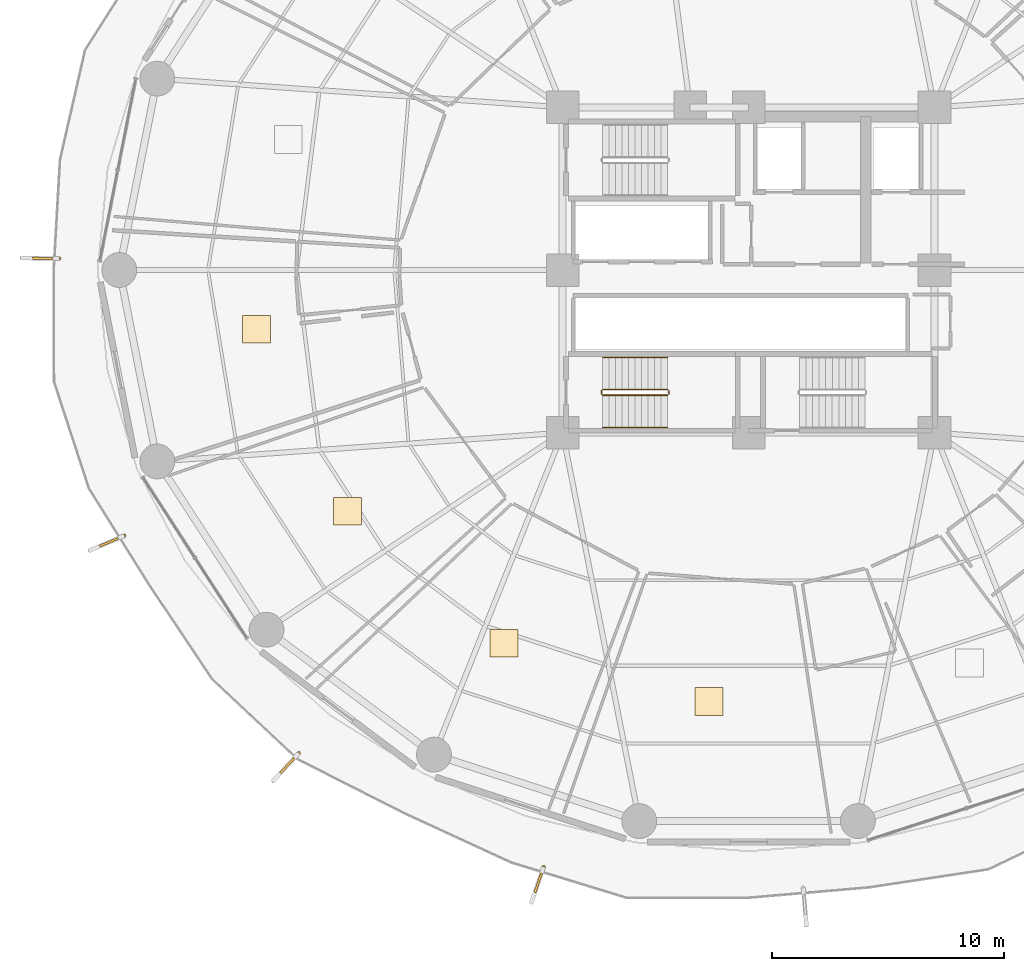
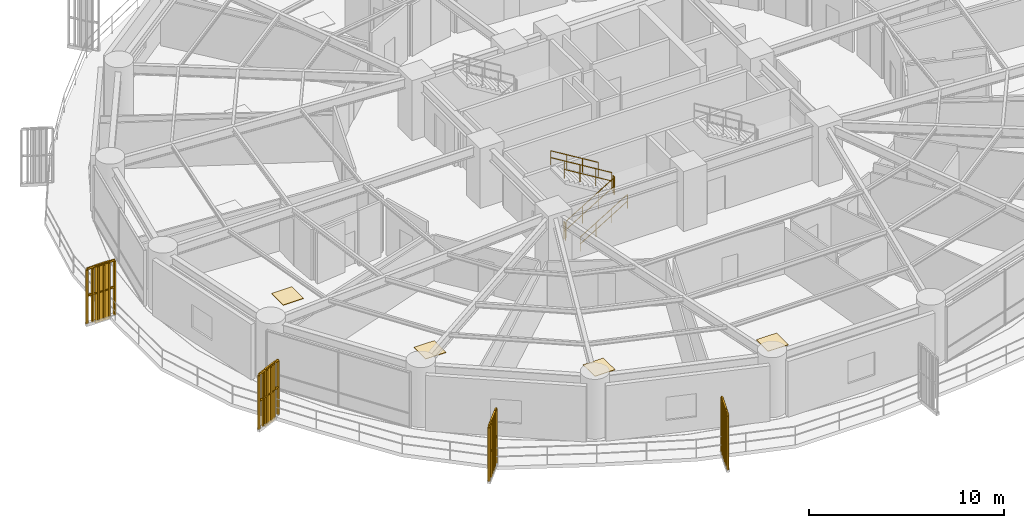
# One storey, part 27 of 31: 10 railings, 4 coverings, 4 shading devices.
"""IFC4 building model written with IfcOpenShell, lengths in metres."""

from ifc_helpers import new_model, si_unit, direction, frame, origin, origin_2d, place, context, subcontext, project, spatial, polyline, rectangle, outline, extrude, source, transform, mapped, material, layer, layer_set, type_object, element, save


model = new_model("IFC4")

# Units and contexts
model_context = context("Model", 3, precision=1e-05, world=origin(), true_north=direction((0.0, 1.0)))
body_context = subcontext(model_context, "Body", "Model", "MODEL_VIEW")
ifc_project = project(units=[si_unit("LENGTHUNIT", "METRE"), si_unit("AREAUNIT", "SQUARE_METRE"), si_unit("VOLUMEUNIT", "CUBIC_METRE"), si_unit("PLANEANGLEUNIT", "RADIAN"), si_unit("MASSUNIT", "GRAM", prefix="KILO")], contexts=[model_context])

# Site, building, storey
site_placement = place(None, origin())
site = spatial("IfcSite", under=ifc_project, at=site_placement, CompositionType="ELEMENT")
building_placement = place(site_placement, origin())
building = spatial("IfcBuilding", under=site, at=building_placement, Name="Kelanora Arch Commons", CompositionType="ELEMENT")
storey_placement = place(building_placement, frame((0.0, 0.0, 63.75)))
storey = spatial("IfcBuildingStorey", under=building, at=storey_placement, Name="L16", CompositionType="ELEMENT", Elevation=63.75)

# Railings
ifc_material_1 = material(Name="Anodised bronze vertical shading fin rib assembly")
railing_type_1 = type_object("IfcRailingType", Name="RAIL-FIN-BRZ", PredefinedType="BALUSTRADE", material=ifc_material_1)
railing_1_placement = place(storey_placement, frame((44.34326171875, 58.49072265625, -0.02001953125)))
element("IfcRailing", 1, at=railing_1_placement, inside=storey, type_object=railing_type_1, Name="Sweeping Bronze Vertical Fin Blade L16-06", PredefinedType="BALUSTRADE", context=body_context, shape_type="SweptSolid", body=[
    extrude(outline(polyline([(0.06982421875, 0.0), (0.034912109375, 0.060546875), (-0.034912109375, 0.060546875), (-0.06982421875, 0.0), (-0.034912109375, -0.060546875), (0.034912109375, -0.060546875), (0.06982421875, 0.0)])), frame((0.0, 0.0, 3.419921875), z_axis=(-0.999862144241, 0.016603990922, 0.0), x_axis=(-0.016603990922, -0.999862144241, 0.0)), (0.0, 0.0, 1.0), 1.617431640625),
    extrude(outline(polyline([(0.06982421875, 0.0), (0.034912109375, 0.060546875), (-0.034912109375, 0.060546875), (-0.06982421875, 0.0), (-0.034912109375, -0.060546875), (0.034912109375, -0.060546875), (0.06982421875, 0.0)])), frame((0.0, 0.0, 1.7451171875), z_axis=(-0.999862144241, 0.016603990922, 0.0), x_axis=(-0.016603990922, -0.999862144241, 0.0)), (0.0, 0.0, 1.0), 1.617431640625),
    extrude(outline(polyline([(0.080078125, 0.0), (0.0400390625, 0.0693359375), (-0.0400390625, 0.0693359375), (-0.080078125, 0.0), (-0.0400390625, -0.0693359375), (0.0400390625, -0.0693359375), (0.080078125, 0.0)])), origin(), (0.0, 0.0, 1.0), 3.35009765625),
    extrude(outline(polyline([(0.080078125, 0.0), (0.0400390625, 0.0693359375), (-0.0400390625, 0.0693359375), (-0.080078125, 0.0), (-0.0400390625, -0.0693359375), (0.0400390625, -0.0693359375), (0.080078125, 0.0)])), frame((-0.323486328125, 0.00537109375, 0.0)), (0.0, 0.0, 1.0), 3.35009765625),
    extrude(outline(polyline([(0.080078125, 0.0), (0.0400390625, 0.0693359375), (-0.0400390625, 0.0693359375), (-0.080078125, 0.0), (-0.0400390625, -0.0693359375), (0.0400390625, -0.0693359375), (0.080078125, 0.0)])), frame((-0.64697265625, 0.0107421875, 0.0)), (0.0, 0.0, 1.0), 3.35009765625),
    extrude(outline(polyline([(0.080078125, 0.0), (0.0400390625, 0.0693359375), (-0.0400390625, 0.0693359375), (-0.080078125, 0.0), (-0.0400390625, -0.0693359375), (0.0400390625, -0.0693359375), (0.080078125, 0.0)])), frame((-0.97021484375, 0.01611328125, 0.0)), (0.0, 0.0, 1.0), 3.35009765625),
    extrude(outline(polyline([(0.080078125, 0.0), (0.0400390625, 0.0693359375), (-0.0400390625, 0.0693359375), (-0.080078125, 0.0), (-0.0400390625, -0.0693359375), (0.0400390625, -0.0693359375), (0.080078125, 0.0)])), frame((-1.293701171875, 0.021484375, 0.0)), (0.0, 0.0, 1.0), 3.35009765625),
    extrude(outline(polyline([(0.080078125, 0.0), (0.0400390625, 0.0693359375), (-0.0400390625, 0.0693359375), (-0.080078125, 0.0), (-0.0400390625, -0.0693359375), (0.0400390625, -0.0693359375), (0.080078125, 0.0)])), frame((-1.6171875, 0.02685546875, 0.0)), (0.0, 0.0, 1.0), 3.35009765625),
])
railing_2_placement = place(storey_placement, frame((47.1376953125, 46.56884765625, -0.02001953125)))
element("IfcRailing", 2, at=railing_2_placement, inside=storey, type_object=railing_type_1, Name="Sweeping Bronze Vertical Fin Blade L16-07", PredefinedType="BALUSTRADE", context=body_context, shape_type="SweptSolid", body=[
    extrude(outline(polyline([(0.06982421875, 0.0), (0.034912109375, 0.060546875), (-0.034912109375, 0.060546875), (-0.06982421875, 0.0), (-0.034912109375, -0.060546875), (0.034912109375, -0.060546875), (0.06982421875, 0.0)])), frame((0.0, 0.0, 3.419921875), z_axis=(-0.920156949823, -0.391549725696, 0.0), x_axis=(0.391549725696, -0.920156949823, 0.0)), (0.0, 0.0, 1.0), 1.617431640625),
    extrude(outline(polyline([(0.06982421875, 0.0), (0.034912109375, 0.060546875), (-0.034912109375, 0.060546875), (-0.06982421875, 0.0), (-0.034912109375, -0.060546875), (0.034912109375, -0.060546875), (0.06982421875, 0.0)])), frame((0.0, 0.0, 1.7451171875), z_axis=(-0.920156949823, -0.391549725696, 0.0), x_axis=(0.391549725696, -0.920156949823, 0.0)), (0.0, 0.0, 1.0), 1.617431640625),
    extrude(outline(polyline([(0.080078125, 0.0), (0.0400390625, 0.0693359375), (-0.0400390625, 0.0693359375), (-0.080078125, 0.0), (-0.0400390625, -0.0693359375), (0.0400390625, -0.0693359375), (0.080078125, 0.0)])), origin(), (0.0, 0.0, 1.0), 3.35009765625),
    extrude(outline(polyline([(0.080078125, 0.0), (0.0400390625, 0.0693359375), (-0.0400390625, 0.0693359375), (-0.080078125, 0.0), (-0.0400390625, -0.0693359375), (0.0400390625, -0.0693359375), (0.080078125, 0.0)])), frame((-0.297607421875, -0.126708984375, 0.0)), (0.0, 0.0, 1.0), 3.35009765625),
    extrude(outline(polyline([(0.080078125, 0.0), (0.0400390625, 0.0693359375), (-0.0400390625, 0.0693359375), (-0.080078125, 0.0), (-0.0400390625, -0.0693359375), (0.0400390625, -0.0693359375), (0.080078125, 0.0)])), frame((-0.59521484375, -0.25341796875, 0.0)), (0.0, 0.0, 1.0), 3.35009765625),
    extrude(outline(polyline([(0.080078125, 0.0), (0.0400390625, 0.0693359375), (-0.0400390625, 0.0693359375), (-0.080078125, 0.0), (-0.0400390625, -0.0693359375), (0.0400390625, -0.0693359375), (0.080078125, 0.0)])), frame((-0.89306640625, -0.3798828125, 0.0)), (0.0, 0.0, 1.0), 3.35009765625),
    extrude(outline(polyline([(0.080078125, 0.0), (0.0400390625, 0.0693359375), (-0.0400390625, 0.0693359375), (-0.080078125, 0.0), (-0.0400390625, -0.0693359375), (0.0400390625, -0.0693359375), (0.080078125, 0.0)])), frame((-1.190673828125, -0.506591796875, 0.0)), (0.0, 0.0, 1.0), 3.35009765625),
    extrude(outline(polyline([(0.080078125, 0.0), (0.0400390625, 0.0693359375), (-0.0400390625, 0.0693359375), (-0.080078125, 0.0), (-0.0400390625, -0.0693359375), (0.0400390625, -0.0693359375), (0.080078125, 0.0)])), frame((-1.48828125, -0.63330078125, 0.0)), (0.0, 0.0, 1.0), 3.35009765625),
])
railing_3_placement = place(storey_placement, frame((54.644287109375, 37.20556640625, -0.02001953125)))
element("IfcRailing", 3, at=railing_3_placement, inside=storey, type_object=railing_type_1, Name="Sweeping Bronze Vertical Fin Blade L16-08", PredefinedType="BALUSTRADE", context=body_context, shape_type="SweptSolid", body=[
    extrude(outline(polyline([(0.06982421875, 0.0), (0.034912109375, 0.060546875), (-0.034912109375, 0.060546875), (-0.06982421875, 0.0), (-0.034912109375, -0.060546875), (0.034912109375, -0.060546875), (0.06982421875, 0.0)])), frame((0.0, 0.0, 3.419921875), z_axis=(-0.681376713055, -0.731932903282, 0.0), x_axis=(0.731932903282, -0.681376713055, 0.0)), (0.0, 0.0, 1.0), 1.61767578125),
    extrude(outline(polyline([(0.06982421875, 0.0), (0.034912109375, 0.060546875), (-0.034912109375, 0.060546875), (-0.06982421875, 0.0), (-0.034912109375, -0.060546875), (0.034912109375, -0.060546875), (0.06982421875, 0.0)])), frame((0.0, 0.0, 1.7451171875), z_axis=(-0.681376713055, -0.731932903282, 0.0), x_axis=(0.731932903282, -0.681376713055, 0.0)), (0.0, 0.0, 1.0), 1.61767578125),
    extrude(outline(polyline([(0.080078125, 0.0), (0.0400390625, 0.0693359375), (-0.0400390625, 0.0693359375), (-0.080078125, 0.0), (-0.0400390625, -0.0693359375), (0.0400390625, -0.0693359375), (0.080078125, 0.0)])), origin(), (0.0, 0.0, 1.0), 3.35009765625),
    extrude(outline(polyline([(0.080078125, 0.0), (0.0400390625, 0.0693359375), (-0.0400390625, 0.0693359375), (-0.080078125, 0.0), (-0.0400390625, -0.0693359375), (0.0400390625, -0.0693359375), (0.080078125, 0.0)])), frame((-0.220458984375, -0.23681640625, 0.0)), (0.0, 0.0, 1.0), 3.35009765625),
    extrude(outline(polyline([(0.080078125, 0.0), (0.0400390625, 0.0693359375), (-0.0400390625, 0.0693359375), (-0.080078125, 0.0), (-0.0400390625, -0.0693359375), (0.0400390625, -0.0693359375), (0.080078125, 0.0)])), frame((-0.44091796875, -0.4736328125, 0.0)), (0.0, 0.0, 1.0), 3.35009765625),
    extrude(outline(polyline([(0.080078125, 0.0), (0.0400390625, 0.0693359375), (-0.0400390625, 0.0693359375), (-0.080078125, 0.0), (-0.0400390625, -0.0693359375), (0.0400390625, -0.0693359375), (0.080078125, 0.0)])), frame((-0.661376953125, -0.71044921875, 0.0)), (0.0, 0.0, 1.0), 3.35009765625),
    extrude(outline(polyline([(0.080078125, 0.0), (0.0400390625, 0.0693359375), (-0.0400390625, 0.0693359375), (-0.080078125, 0.0), (-0.0400390625, -0.0693359375), (0.0400390625, -0.0693359375), (0.080078125, 0.0)])), frame((-0.8818359375, -0.947265625, 0.0)), (0.0, 0.0, 1.0), 3.35009765625),
    extrude(outline(polyline([(0.080078125, 0.0), (0.0400390625, 0.0693359375), (-0.0400390625, 0.0693359375), (-0.080078125, 0.0), (-0.0400390625, -0.0693359375), (0.0400390625, -0.0693359375), (0.080078125, 0.0)])), frame((-1.102294921875, -1.18408203125, 0.0)), (0.0, 0.0, 1.0), 3.35009765625),
])
railing_4_placement = place(storey_placement, frame((65.180908203125, 32.3115234375, -0.02001953125)))
element("IfcRailing", 4, at=railing_4_placement, inside=storey, type_object=railing_type_1, Name="Sweeping Bronze Vertical Fin Blade L16-09", PredefinedType="BALUSTRADE", context=body_context, shape_type="SweptSolid", body=[
    extrude(outline(polyline([(0.06982421875, 0.0), (0.034912109375, 0.060546875), (-0.034912109375, 0.060546875), (-0.06982421875, 0.0), (-0.034912109375, -0.060546875), (0.034912109375, -0.060546875), (0.06982421875, 0.0)])), frame((0.0, 0.0, 3.419921875), z_axis=(-0.324771855689, -0.945792388293, 0.0), x_axis=(0.945792388293, -0.324771855689, 0.0)), (0.0, 0.0, 1.0), 1.61767578125),
    extrude(outline(polyline([(0.06982421875, 0.0), (0.034912109375, 0.060546875), (-0.034912109375, 0.060546875), (-0.06982421875, 0.0), (-0.034912109375, -0.060546875), (0.034912109375, -0.060546875), (0.06982421875, 0.0)])), frame((0.0, 0.0, 1.7451171875), z_axis=(-0.324771855689, -0.945792388293, 0.0), x_axis=(0.945792388293, -0.324771855689, 0.0)), (0.0, 0.0, 1.0), 1.61767578125),
    extrude(outline(polyline([(0.080078125, 0.0), (0.0400390625, 0.0693359375), (-0.0400390625, 0.0693359375), (-0.080078125, 0.0), (-0.0400390625, -0.0693359375), (0.0400390625, -0.0693359375), (0.080078125, 0.0)])), origin(), (0.0, 0.0, 1.0), 3.35009765625),
    extrude(outline(polyline([(0.080078125, 0.0), (0.0400390625, 0.0693359375), (-0.0400390625, 0.0693359375), (-0.080078125, 0.0), (-0.0400390625, -0.0693359375), (0.0400390625, -0.0693359375), (0.080078125, 0.0)])), frame((-0.10498046875, -0.305908203125, 0.0)), (0.0, 0.0, 1.0), 3.35009765625),
    extrude(outline(polyline([(0.080078125, 0.0), (0.0400390625, 0.0693359375), (-0.0400390625, 0.0693359375), (-0.080078125, 0.0), (-0.0400390625, -0.0693359375), (0.0400390625, -0.0693359375), (0.080078125, 0.0)])), frame((-0.210205078125, -0.612060546875, 0.0)), (0.0, 0.0, 1.0), 3.35009765625),
    extrude(outline(polyline([(0.080078125, 0.0), (0.0400390625, 0.0693359375), (-0.0400390625, 0.0693359375), (-0.080078125, 0.0), (-0.0400390625, -0.0693359375), (0.0400390625, -0.0693359375), (0.080078125, 0.0)])), frame((-0.315185546875, -0.91796875, 0.0)), (0.0, 0.0, 1.0), 3.35009765625),
    extrude(outline(polyline([(0.080078125, 0.0), (0.0400390625, 0.0693359375), (-0.0400390625, 0.0693359375), (-0.080078125, 0.0), (-0.0400390625, -0.0693359375), (0.0400390625, -0.0693359375), (0.080078125, 0.0)])), frame((-0.42041015625, -1.22412109375, 0.0)), (0.0, 0.0, 1.0), 3.35009765625),
    extrude(outline(polyline([(0.080078125, 0.0), (0.0400390625, 0.0693359375), (-0.0400390625, 0.0693359375), (-0.080078125, 0.0), (-0.0400390625, -0.0693359375), (0.0400390625, -0.0693359375), (0.080078125, 0.0)])), frame((-0.525390625, -1.530029296875, 0.0)), (0.0, 0.0, 1.0), 3.35009765625),
])
ifc_material_2 = material(Name="Painted steel stair well guard", Category="steel")
railing_type_2 = type_object("IfcRailingType", Name="RAIL-STAIR-GRD", PredefinedType="GUARDRAIL", material=ifc_material_2)
railing_5_placement = place(storey_placement, frame((67.719970703125, 52.610107421875, 0.17041015625)))
element("IfcRailing", 5, at=railing_5_placement, inside=storey, type_object=railing_type_2, Name="L16 ST-T3 stair guard 1", PredefinedType="GUARDRAIL", context=body_context, shape_type="SweptSolid", body=[
    extrude(outline(polyline([(0.02392578125, 0.0), (0.011962890625, 0.020751953125), (-0.011962890625, 0.020751953125), (-0.02392578125, 0.0), (-0.011962890625, -0.020751953125), (0.011962890625, -0.020751953125), (0.02392578125, 0.0)])), frame((0.0, 0.0, 1.076171875), z_axis=(0.854169791009, 0.0, 0.51999420009), x_axis=(0.0, 1.0, 0.0)), (0.0, 0.0, 1.0), 3.278076171875),
    extrude(outline(polyline([(0.02392578125, 0.0), (0.011962890625, 0.020751953125), (-0.011962890625, 0.020751953125), (-0.02392578125, 0.0), (-0.011962890625, -0.020751953125), (0.011962890625, -0.020751953125), (0.02392578125, 0.0)])), frame((0.0, 0.0, 0.550048828125), z_axis=(0.854169791009, 0.0, 0.51999420009), x_axis=(0.0, 1.0, 0.0)), (0.0, 0.0, 1.0), 3.278076171875),
    extrude(outline(polyline([(0.02099609375, 0.0), (0.010498046875, 0.01806640625), (-0.010498046875, 0.01806640625), (-0.02099609375, 0.0), (-0.010498046875, -0.01806640625), (0.010498046875, -0.01806640625), (0.02099609375, 0.0)])), origin(), (0.0, 0.0, 1.0), 1.052001953125),
    extrude(outline(polyline([(0.02099609375, 0.0), (0.010498046875, 0.01806640625), (-0.010498046875, 0.01806640625), (-0.02099609375, 0.0), (-0.010498046875, -0.01806640625), (0.010498046875, -0.01806640625), (0.02099609375, 0.0)])), frame((0.933349609375, 0.0, 0.568115234375)), (0.0, 0.0, 1.0), 1.052001953125),
    extrude(outline(polyline([(0.02099609375, 0.0), (0.010498046875, 0.01806640625), (-0.010498046875, 0.01806640625), (-0.02099609375, 0.0), (-0.010498046875, -0.01806640625), (0.010498046875, -0.01806640625), (0.02099609375, 0.0)])), frame((1.86669921875, 0.0, 1.136474609375)), (0.0, 0.0, 1.0), 1.052001953125),
    extrude(outline(polyline([(0.02099609375, 0.0), (0.010498046875, 0.01806640625), (-0.010498046875, 0.01806640625), (-0.02099609375, 0.0), (-0.010498046875, -0.01806640625), (0.010498046875, -0.01806640625), (0.02099609375, 0.0)])), frame((2.800048828125, 0.0, 1.70458984375)), (0.0, 0.0, 1.0), 1.052001953125),
])
railing_6_placement = place(storey_placement, frame((70.570068359375, 52.659912109375, 1.875)))
element("IfcRailing", 6, at=railing_6_placement, inside=storey, type_object=railing_type_2, Name="L16 ST-T3 stair guard 2", PredefinedType="GUARDRAIL", context=body_context, shape_type="SweptSolid", body=[
    extrude(outline(polyline([(0.02392578125, 0.0), (0.011962890625, 0.020751953125), (-0.011962890625, 0.020751953125), (-0.02392578125, 0.0), (-0.011962890625, -0.020751953125), (0.011962890625, -0.020751953125), (0.02392578125, 0.0)])), frame((0.0, 0.0, 1.076171875), z_axis=(0.0, 1.0, 0.0), x_axis=(-1.0, 0.0, 0.0)), (0.0, 0.0, 1.0), 0.150146484375),
    extrude(outline(polyline([(0.02392578125, 0.0), (0.011962890625, 0.020751953125), (-0.011962890625, 0.020751953125), (-0.02392578125, 0.0), (-0.011962890625, -0.020751953125), (0.011962890625, -0.020751953125), (0.02392578125, 0.0)])), frame((0.0, 0.0, 0.550048828125), z_axis=(0.0, 1.0, 0.0), x_axis=(-1.0, 0.0, 0.0)), (0.0, 0.0, 1.0), 0.150146484375),
    extrude(outline(polyline([(0.02099609375, 0.0), (0.010498046875, 0.01806640625), (-0.010498046875, 0.01806640625), (-0.02099609375, 0.0), (-0.010498046875, -0.01806640625), (0.010498046875, -0.01806640625), (0.02099609375, 0.0)])), origin(), (0.0, 0.0, 1.0), 1.052001953125),
    extrude(outline(polyline([(0.02099609375, 0.0), (0.010498046875, 0.01806640625), (-0.010498046875, 0.01806640625), (-0.02099609375, 0.0), (-0.010498046875, -0.01806640625), (0.010498046875, -0.01806640625), (0.02099609375, 0.0)])), frame((0.0, 0.150146484375, 0.0)), (0.0, 0.0, 1.0), 1.052001953125),
])
railing_7_placement = place(storey_placement, frame((70.52001953125, 52.860107421875, 2.04541015625)))
element("IfcRailing", 7, at=railing_7_placement, inside=storey, type_object=railing_type_2, Name="L16 ST-T3 stair guard 3", PredefinedType="GUARDRAIL", context=body_context, shape_type="SweptSolid", body=[
    extrude(outline(polyline([(0.02392578125, 0.0), (0.011962890625, 0.020751953125), (-0.011962890625, 0.020751953125), (-0.02392578125, 0.0), (-0.011962890625, -0.020751953125), (0.011962890625, -0.020751953125), (0.02392578125, 0.0)])), frame((0.0, 0.0, 1.076171875), z_axis=(-0.854169791009, 0.0, 0.51999420009), x_axis=(0.0, -1.0, 0.0)), (0.0, 0.0, 1.0), 3.278076171875),
    extrude(outline(polyline([(0.02392578125, 0.0), (0.011962890625, 0.020751953125), (-0.011962890625, 0.020751953125), (-0.02392578125, 0.0), (-0.011962890625, -0.020751953125), (0.011962890625, -0.020751953125), (0.02392578125, 0.0)])), frame((0.0, 0.0, 0.550048828125), z_axis=(-0.854169791009, 0.0, 0.51999420009), x_axis=(0.0, -1.0, 0.0)), (0.0, 0.0, 1.0), 3.278076171875),
    extrude(outline(polyline([(0.02099609375, 0.0), (0.010498046875, 0.01806640625), (-0.010498046875, 0.01806640625), (-0.02099609375, 0.0), (-0.010498046875, -0.01806640625), (0.010498046875, -0.01806640625), (0.02099609375, 0.0)])), origin(), (0.0, 0.0, 1.0), 1.052001953125),
    extrude(outline(polyline([(0.02099609375, 0.0), (0.010498046875, 0.01806640625), (-0.010498046875, 0.01806640625), (-0.02099609375, 0.0), (-0.010498046875, -0.01806640625), (0.010498046875, -0.01806640625), (0.02099609375, 0.0)])), frame((-0.933349609375, 0.0, 0.568115234375)), (0.0, 0.0, 1.0), 1.052001953125),
    extrude(outline(polyline([(0.02099609375, 0.0), (0.010498046875, 0.01806640625), (-0.010498046875, 0.01806640625), (-0.02099609375, 0.0), (-0.010498046875, -0.01806640625), (0.010498046875, -0.01806640625), (0.02099609375, 0.0)])), frame((-1.86669921875, 0.0, 1.136474609375)), (0.0, 0.0, 1.0), 1.052001953125),
    extrude(outline(polyline([(0.02099609375, 0.0), (0.010498046875, 0.01806640625), (-0.010498046875, 0.01806640625), (-0.02099609375, 0.0), (-0.010498046875, -0.01806640625), (0.010498046875, -0.01806640625), (0.02099609375, 0.0)])), frame((-2.800048828125, 0.0, 1.70458984375)), (0.0, 0.0, 1.0), 1.052001953125),
])
railing_8_placement = place(storey_placement, frame((67.669921875, 52.659912109375, 0.0)))
element("IfcRailing", 8, at=railing_8_placement, inside=storey, type_object=railing_type_2, Name="L16 ST-T3 stair guard 4", PredefinedType="GUARDRAIL", context=body_context, shape_type="SweptSolid", body=[
    extrude(outline(polyline([(0.02392578125, 0.0), (0.011962890625, 0.020751953125), (-0.011962890625, 0.020751953125), (-0.02392578125, 0.0), (-0.011962890625, -0.020751953125), (0.011962890625, -0.020751953125), (0.02392578125, 0.0)])), frame((0.0, 0.0, 1.076171875), z_axis=(0.0, 1.0, 0.0), x_axis=(-1.0, 0.0, 0.0)), (0.0, 0.0, 1.0), 0.150146484375),
    extrude(outline(polyline([(0.02392578125, 0.0), (0.011962890625, 0.020751953125), (-0.011962890625, 0.020751953125), (-0.02392578125, 0.0), (-0.011962890625, -0.020751953125), (0.011962890625, -0.020751953125), (0.02392578125, 0.0)])), frame((0.0, 0.0, 0.550048828125), z_axis=(0.0, 1.0, 0.0), x_axis=(-1.0, 0.0, 0.0)), (0.0, 0.0, 1.0), 0.150146484375),
    extrude(outline(polyline([(0.02099609375, 0.0), (0.010498046875, 0.01806640625), (-0.010498046875, 0.01806640625), (-0.02099609375, 0.0), (-0.010498046875, -0.01806640625), (0.010498046875, -0.01806640625), (0.02099609375, 0.0)])), origin(), (0.0, 0.0, 1.0), 1.052001953125),
    extrude(outline(polyline([(0.02099609375, 0.0), (0.010498046875, 0.01806640625), (-0.010498046875, 0.01806640625), (-0.02099609375, 0.0), (-0.010498046875, -0.01806640625), (0.010498046875, -0.01806640625), (0.02099609375, 0.0)])), frame((0.0, 0.150146484375, 0.0)), (0.0, 0.0, 1.0), 1.052001953125),
])
ifc_material_3 = material(Name="Brushed stainless steel stair handrail", Category="steel")
railing_type_3 = type_object("IfcRailingType", Name="RAIL-STAIR-HND", PredefinedType="HANDRAIL", material=ifc_material_3)
railing_9_placement = place(storey_placement, frame((67.719970703125, 51.22998046875, 0.17041015625)))
element("IfcRailing", 9, at=railing_9_placement, inside=storey, type_object=railing_type_3, Name="L16 ST-T3 stair handrail 1", PredefinedType="HANDRAIL", context=body_context, shape_type="SweptSolid", body=[
    extrude(outline(polyline([(0.02392578125, 0.0), (0.011962890625, 0.020751953125), (-0.011962890625, 0.020751953125), (-0.02392578125, 0.0), (-0.011962890625, -0.020751953125), (0.011962890625, -0.020751953125), (0.02392578125, 0.0)])), frame((0.0, 0.0, 0.8759765625), z_axis=(0.854169791009, 0.0, 0.51999420009), x_axis=(0.0, 1.0, 0.0)), (0.0, 0.0, 1.0), 3.278076171875),
    extrude(outline(polyline([(0.02392578125, 0.0), (0.011962890625, 0.020751953125), (-0.011962890625, 0.020751953125), (-0.02392578125, 0.0), (-0.011962890625, -0.020751953125), (0.011962890625, -0.020751953125), (0.02392578125, 0.0)])), frame((0.0, 0.0, 0.449951171875), z_axis=(0.854169791009, 0.0, 0.51999420009), x_axis=(0.0, 1.0, 0.0)), (0.0, 0.0, 1.0), 3.278076171875),
    extrude(outline(polyline([(0.02099609375, 0.0), (0.010498046875, 0.01806640625), (-0.010498046875, 0.01806640625), (-0.02099609375, 0.0), (-0.010498046875, -0.01806640625), (0.010498046875, -0.01806640625), (0.02099609375, 0.0)])), origin(), (0.0, 0.0, 1.0), 0.851806640625),
    extrude(outline(polyline([(0.02099609375, 0.0), (0.010498046875, 0.01806640625), (-0.010498046875, 0.01806640625), (-0.02099609375, 0.0), (-0.010498046875, -0.01806640625), (0.010498046875, -0.01806640625), (0.02099609375, 0.0)])), frame((0.933349609375, 0.0, 0.568115234375)), (0.0, 0.0, 1.0), 0.851806640625),
    extrude(outline(polyline([(0.02099609375, 0.0), (0.010498046875, 0.01806640625), (-0.010498046875, 0.01806640625), (-0.02099609375, 0.0), (-0.010498046875, -0.01806640625), (0.010498046875, -0.01806640625), (0.02099609375, 0.0)])), frame((1.86669921875, 0.0, 1.136474609375)), (0.0, 0.0, 1.0), 0.851806640625),
    extrude(outline(polyline([(0.02099609375, 0.0), (0.010498046875, 0.01806640625), (-0.010498046875, 0.01806640625), (-0.02099609375, 0.0), (-0.010498046875, -0.01806640625), (0.010498046875, -0.01806640625), (0.02099609375, 0.0)])), frame((2.800048828125, 0.0, 1.70458984375)), (0.0, 0.0, 1.0), 0.851806640625),
])
railing_10_placement = place(storey_placement, frame((70.52001953125, 54.239990234375, 2.04541015625)))
element("IfcRailing", 10, at=railing_10_placement, inside=storey, type_object=railing_type_3, Name="L16 ST-T3 stair handrail 2", PredefinedType="HANDRAIL", context=body_context, shape_type="SweptSolid", body=[
    extrude(outline(polyline([(0.02392578125, 0.0), (0.011962890625, 0.020751953125), (-0.011962890625, 0.020751953125), (-0.02392578125, 0.0), (-0.011962890625, -0.020751953125), (0.011962890625, -0.020751953125), (0.02392578125, 0.0)])), frame((0.0, 0.0, 0.8759765625), z_axis=(-0.854169791009, 0.0, 0.51999420009), x_axis=(0.0, -1.0, 0.0)), (0.0, 0.0, 1.0), 3.278076171875),
    extrude(outline(polyline([(0.02392578125, 0.0), (0.011962890625, 0.020751953125), (-0.011962890625, 0.020751953125), (-0.02392578125, 0.0), (-0.011962890625, -0.020751953125), (0.011962890625, -0.020751953125), (0.02392578125, 0.0)])), frame((0.0, 0.0, 0.449951171875), z_axis=(-0.854169791009, 0.0, 0.51999420009), x_axis=(0.0, -1.0, 0.0)), (0.0, 0.0, 1.0), 3.278076171875),
    extrude(outline(polyline([(0.02099609375, 0.0), (0.010498046875, 0.01806640625), (-0.010498046875, 0.01806640625), (-0.02099609375, 0.0), (-0.010498046875, -0.01806640625), (0.010498046875, -0.01806640625), (0.02099609375, 0.0)])), origin(), (0.0, 0.0, 1.0), 0.851806640625),
    extrude(outline(polyline([(0.02099609375, 0.0), (0.010498046875, 0.01806640625), (-0.010498046875, 0.01806640625), (-0.02099609375, 0.0), (-0.010498046875, -0.01806640625), (0.010498046875, -0.01806640625), (0.02099609375, 0.0)])), frame((-0.933349609375, 0.0, 0.568115234375)), (0.0, 0.0, 1.0), 0.851806640625),
    extrude(outline(polyline([(0.02099609375, 0.0), (0.010498046875, 0.01806640625), (-0.010498046875, 0.01806640625), (-0.02099609375, 0.0), (-0.010498046875, -0.01806640625), (0.010498046875, -0.01806640625), (0.02099609375, 0.0)])), frame((-1.86669921875, 0.0, 1.136474609375)), (0.0, 0.0, 1.0), 0.851806640625),
    extrude(outline(polyline([(0.02099609375, 0.0), (0.010498046875, 0.01806640625), (-0.010498046875, 0.01806640625), (-0.02099609375, 0.0), (-0.010498046875, -0.01806640625), (0.010498046875, -0.01806640625), (0.02099609375, 0.0)])), frame((-2.800048828125, 0.0, 1.70458984375)), (0.0, 0.0, 1.0), 0.851806640625),
])

# Shading devices
ifc_material_4 = material(Name="Terracotta ceramic-clad extruded aluminium fin", Category="masonry")
shading_device_type = type_object("IfcShadingDeviceType", Name="SHD-FIN-FLARE", PredefinedType="USERDEFINED", material=ifc_material_4)
shared_shape_1 = source(origin(), body_context, "Body", "SweptSolid", [
    extrude(rectangle(XDim=0.8798828125, YDim=0.090087890625, at=origin_2d()), origin(), (0.0, 0.0, 1.0), 3.610107421875),
])
for number, where, z_axis, x_axis, name in (
    (11, (43.623291015625, 58.502685546875, -0.14013671875), (0.0, 0.0, 1.0), (-0.999862544538, 0.016579868188, 0.0), "Sweeping Terracotta Fin L16-06"),
    (12, (46.47509765625, 46.286865234375, -0.14013671875), (0.0, 0.0, 1.0), (-0.920163525759, -0.391534271632, 0.0), "Sweeping Terracotta Fin L16-07"),
    (13, (54.153564453125, 36.6787109375, -0.14013671875), (0.0, 0.0, 1.0), (-0.681359873953, -0.731948578909, 0.0), "Sweeping Terracotta Fin L16-08"),
    (14, (64.947021484375, 31.630615234375, -0.14013671875), (0.0, 0.0, 1.0), (-0.324742909981, -0.945802327348, 0.0), "Sweeping Terracotta Fin L16-09"),
):
    element("IfcShadingDevice", number, at=place(storey_placement, frame(where, z_axis=z_axis, x_axis=x_axis)), inside=storey, type_object=shading_device_type, Name=name, ObjectType="FIN", PredefinedType="USERDEFINED", context=body_context, shape_type="MappedRepresentation", body=[
        mapped(shared_shape_1, transform((0.0, 0.0, 0.0), scale=1.0)),
    ])

# Coverings
ifc_material_5 = material(Name="Polished local granite terrazzo flooring", Category="masonry")
ifc_layer = layer(ifc_material_5, 0.030029296875)
ifc_layer_set = layer_set([ifc_layer], Name="Polished local granite terrazzo flooring")
covering_type = type_object("IfcCoveringType", Name="COV-FLR-TER", PredefinedType="FLOORING", material=ifc_layer_set)
shared_shape_2 = source(origin(), body_context, "Body", "SweptSolid", [
    extrude(rectangle(XDim=1.199951171875, YDim=1.199951171875, at=origin_2d()), origin(), (0.0, 0.0, 1.0), 0.030029296875),
])
for number, where, z_axis, x_axis, name in (
    (15, (52.82958984375, 55.452392578125, 0.0), (0.0, 0.0, 1.0), (1.0, 0.0, 0.0), "Co-Living Studio L16-07 Terrazzo Finish"),
    (16, (56.7451171875, 47.6220703125, 0.0), (0.0, 0.0, 1.0), (1.0, 0.0, 0.0), "Communal Dining and Social Hall L16-08 Terrazzo Finish"),
    (17, (63.476318359375, 41.93798828125, 0.0), (0.0, 0.0, 1.0), (1.0, 0.0, 0.0), "Quiet Seminar Study Room L16-09 Terrazzo Finish"),
    (18, (72.29248046875, 39.435546875, 0.0), (0.0, 0.0, 1.0), (1.0, 0.0, 0.0), "Quiet Seminar Study Room L16-10 Terrazzo Finish"),
):
    element("IfcCovering", number, at=place(storey_placement, frame(where, z_axis=z_axis, x_axis=x_axis)), inside=storey, type_object=covering_type, Name=name, PredefinedType="FLOORING", context=body_context, shape_type="MappedRepresentation", body=[
        mapped(shared_shape_2, transform((0.0, 0.0, 0.0), scale=1.0)),
    ])

save(model, "model.ifc")
